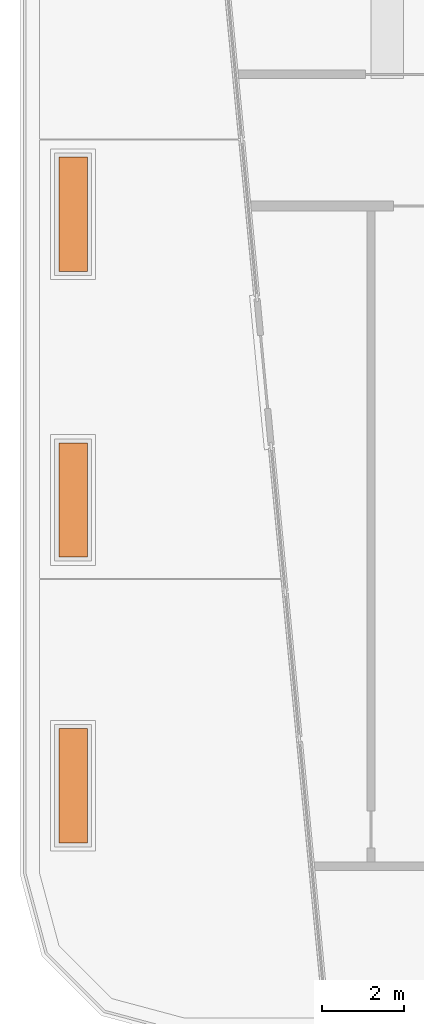
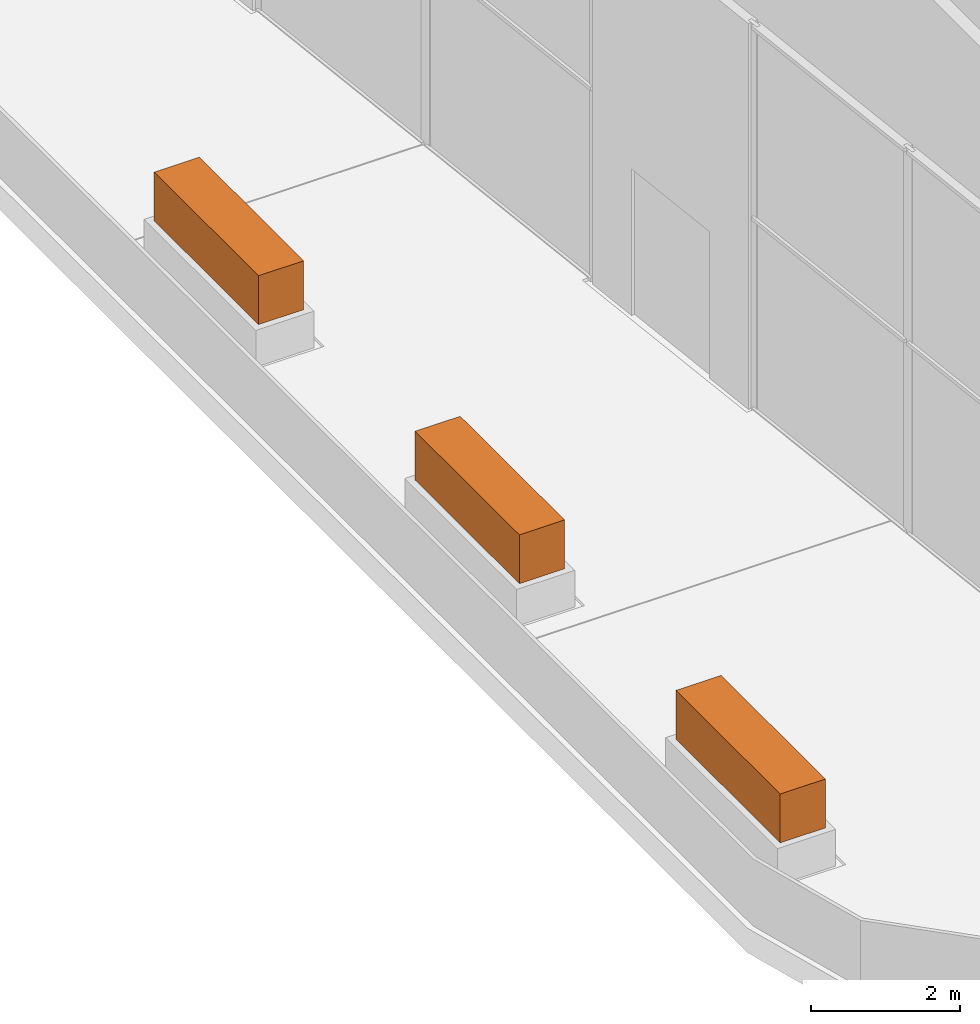
# One storey, part 25 of 25: 3 geographic elements.
"""IFC4 building model written with IfcOpenShell, lengths in metres."""

from ifc_helpers import new_model, si_unit, direction, frame, origin, origin_2d, place, context, subcontext, project, spatial, rectangle, extrude, element, save


model = new_model("IFC4")

# Units and contexts
model_context = context("Model", 3, precision=1e-05, world=origin(), true_north=direction((0.0, 1.0)))
body_context = subcontext(model_context, "Body", "Model", "MODEL_VIEW")
ifc_project = project(units=[si_unit("LENGTHUNIT", "METRE"), si_unit("AREAUNIT", "SQUARE_METRE"), si_unit("VOLUMEUNIT", "CUBIC_METRE"), si_unit("PLANEANGLEUNIT", "RADIAN"), si_unit("MASSUNIT", "GRAM", prefix="KILO")], contexts=[model_context])

# Site, building, storey
site_placement = place(None, origin())
site = spatial("IfcSite", under=ifc_project, at=site_placement, CompositionType="ELEMENT")
building_placement = place(site_placement, origin())
building = spatial("IfcBuilding", under=site, at=building_placement, Name="Kajstack Hotel Tower", CompositionType="ELEMENT")
storey_placement = place(building_placement, frame((0.0, 0.0, 104.199951171875)))
storey = spatial("IfcBuildingStorey", under=building, at=storey_placement, Name="L22", CompositionType="ELEMENT", Elevation=104.199951171875)

# Geographic elements
for number, where, z_axis, x_axis, name in (
    (1, (-43.699951171875, -15.828857421875, 0.60009765625), (0.0, 0.0, 1.0), (0.0, 1.0, 0.0), "Planting L22-01-01"),
    (2, (-43.699951171875, -8.828857421875, 0.60009765625), (0.0, 0.0, 1.0), (0.0, 1.0, 0.0), "Planting L22-01-02"),
    (3, (-43.699951171875, -1.828857421875, 0.60009765625), (0.0, 0.0, 1.0), (0.0, 1.0, 0.0), "Planting L22-01-03"),
):
    element("IfcGeographicElement", number, at=place(storey_placement, frame(where, z_axis=z_axis, x_axis=x_axis)), inside=storey, Name=name, ObjectType="PLANTING", PredefinedType="USERDEFINED", context=body_context, shape_type="SweptSolid", body=[
        extrude(rectangle(XDim=2.800048828125, YDim=0.699951171875, at=origin_2d()), origin(), (0.0, 0.0, 1.0), 0.800048828125),
    ])

save(model, "model.ifc")
